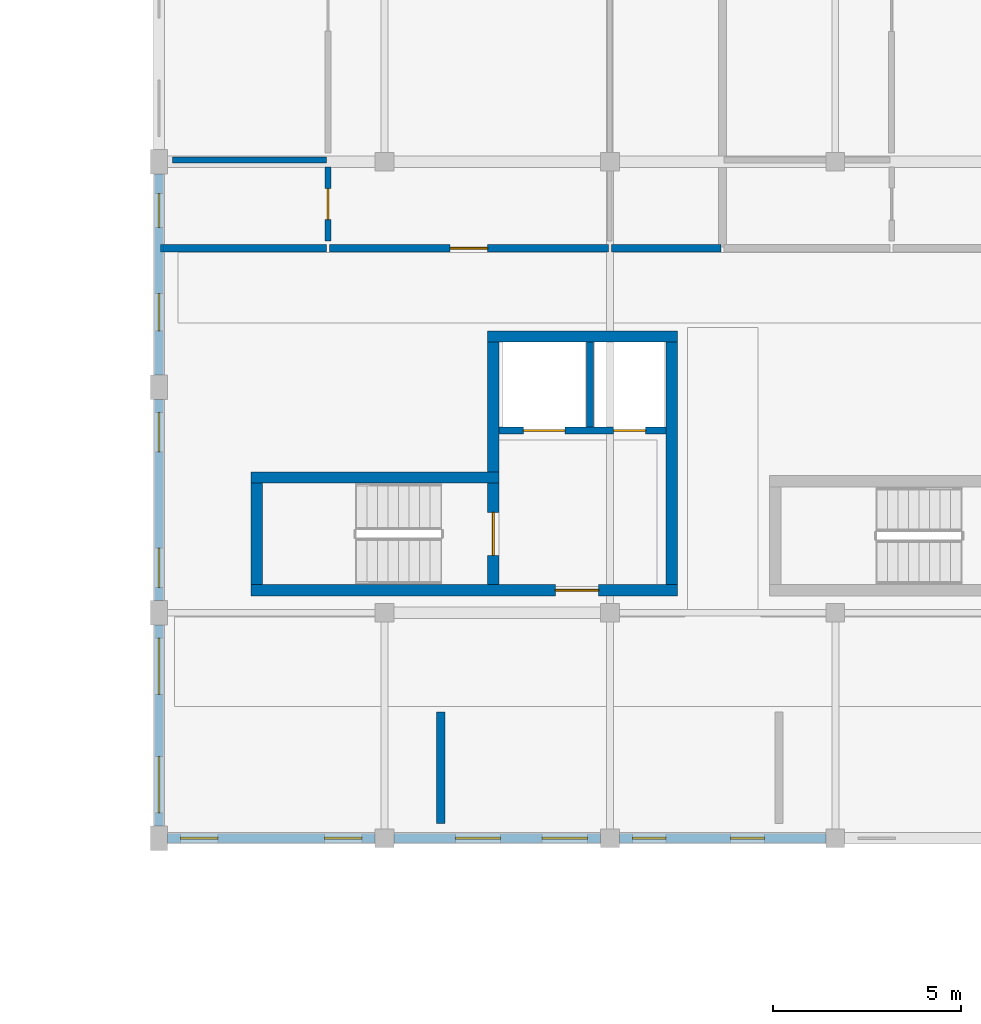
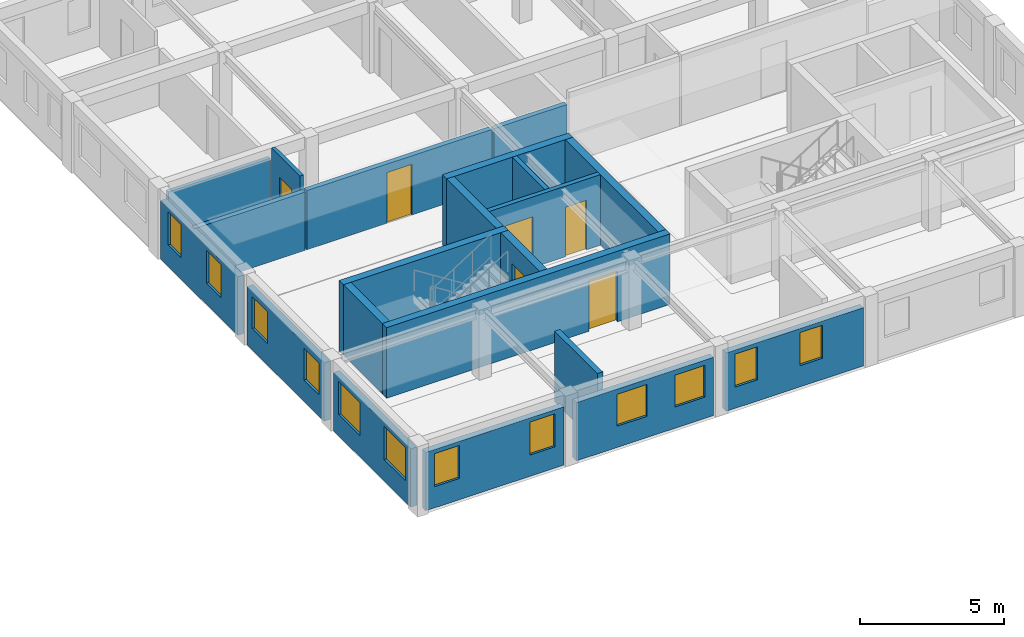
# One storey, part 7 of 13: 21 walls, 12 windows, 6 doors, 18 openings.
"""IFC4 building model written with IfcOpenShell, lengths in metres."""

from ifc_helpers import new_model, si_unit, direction, frame, frame_2d, origin, place, context, subcontext, project, spatial, rectangle, extrude, material, layer, layer_set, type_object, element, fill, save


model = new_model("IFC4")

# Units and contexts
model_context = context("Model", 3, precision=1e-05, world=origin(), true_north=direction((0.0, 1.0)))
body_context = subcontext(model_context, "Body", "Model", "MODEL_VIEW")
ifc_project = project(units=[si_unit("LENGTHUNIT", "METRE"), si_unit("AREAUNIT", "SQUARE_METRE"), si_unit("VOLUMEUNIT", "CUBIC_METRE"), si_unit("PLANEANGLEUNIT", "RADIAN"), si_unit("MASSUNIT", "GRAM", prefix="KILO"), si_unit("POWERUNIT", "WATT"), si_unit("THERMODYNAMICTEMPERATUREUNIT", "KELVIN")], contexts=[model_context])

# Site, building, storey
site_placement = place(None, origin())
site = spatial("IfcSite", under=ifc_project, at=site_placement, CompositionType="ELEMENT")
building_placement = place(site_placement, origin())
building = spatial("IfcBuilding", under=site, at=building_placement, Name="Ruvembo Vaulted Housing Court", CompositionType="ELEMENT")
storey_placement = place(building_placement, frame((0.0, 0.0, 33.300048828125)))
storey = spatial("IfcBuildingStorey", under=building, at=storey_placement, Name="L10", CompositionType="ELEMENT", Elevation=33.300048828125)

# Wall, opening, door
ifc_material_1 = material(Name="Concrete C35/45", Category="concrete")
ifc_layer_1 = layer(ifc_material_1, 0.300048828125, Name="Concrete C35/45")
ifc_layer_set_1 = layer_set([ifc_layer_1], Name="Concrete C35/45")
wall_type_1 = type_object("IfcWallType", Name="WL-CORE-300", PredefinedType="SHEAR", material=ifc_layer_set_1)
wall_1_placement = place(storey_placement, frame((50.449951171875, 90.60009765625, 0.0), z_axis=(0.0, 0.0, 1.0), x_axis=(1.0, 0.0, 0.0)))
wall_1 = element("IfcWall", 1, at=wall_1_placement, inside=storey, type_object=wall_type_1, Name="Core B1 L10 South Shear Wall", PredefinedType="SHEAR", context=body_context, shape_type="SweptSolid", body=[
    extrude(rectangle(XDim=11.35009765625, YDim=0.300048828125, at=frame_2d((5.675048828125, 0.0))), origin(), (0.0, 0.0, 1.0), 2.989990234375),
])
opening_1_placement = place(wall_1_placement, frame((8.10009765625, 0.0, 0.0)))
opening_1 = element("IfcOpeningElement", 2, at=opening_1_placement, cuts=wall_1, Name="Opening LD0", PredefinedType="OPENING", context=body_context, shape_type="SweptSolid", body=[
    extrude(rectangle(XDim=1.14990234375, YDim=2.14990234375, at=frame_2d((0.574951171875, 1.074951171875))), frame((0.0, 0.159912109375, 0.0), z_axis=(0.0, -1.0, 0.0), x_axis=(1.0, 0.0, 0.0)), (0.0, 0.0, 1.0), 0.320068359375),
])
ifc_material_2 = material(Name="Galvanised Painted Steel", Category="steel")
door_type_1 = type_object("IfcDoorType", Name="DR-LOB-1150x2150", OperationType="NOTDEFINED", PredefinedType="DOOR", material=ifc_material_2)
door_1_placement = place(opening_1_placement, origin())
door_1 = element("IfcDoor", 3, at=door_1_placement, inside=storey, type_object=door_type_1, Name="Core B1 L10 Lobby Fire Door", OperationType="SINGLE_SWING_RIGHT", OverallHeight=2.14990234375, OverallWidth=1.14990234375, PredefinedType="DOOR", context=body_context, shape_type="SweptSolid", body=[
    extrude(rectangle(XDim=1.14990234375, YDim=2.14990234375, at=frame_2d((0.574951171875, 1.074951171875))), frame((0.0, 0.02490234375, 0.0), z_axis=(0.0, -1.0, 0.0), x_axis=(1.0, 0.0, 0.0)), (0.0, 0.0, 1.0), 0.050048828125),
])
fill(opening_1, door_1)

# Walls
wall_2_placement = place(storey_placement, frame((57.050048828125, 93.60009765625, 0.0), z_axis=(0.0, 0.0, 1.0), x_axis=(-1.0, 0.0, 0.0)))
element("IfcWall", 4, at=wall_2_placement, inside=storey, type_object=wall_type_1, Name="Core B1 L10 Stair North Shear Wall", PredefinedType="SHEAR", context=body_context, shape_type="SweptSolid", body=[
    extrude(rectangle(XDim=6.60009765625, YDim=0.300048828125, at=frame_2d((3.300048828125, 0.0))), origin(), (0.0, 0.0, 1.0), 2.989990234375),
])
wall_3_placement = place(storey_placement, frame((50.60009765625, 93.449951171875, 0.0), z_axis=(0.0, 0.0, 1.0), x_axis=(0.0, -1.0, 0.0)))
element("IfcWall", 5, at=wall_3_placement, inside=storey, type_object=wall_type_1, Name="Core B1 L10 Stair West Shear Wall", PredefinedType="SHEAR", context=body_context, shape_type="SweptSolid", body=[
    extrude(rectangle(XDim=2.699951171875, YDim=0.300048828125, at=frame_2d((1.35009765625, 0.0))), origin(), (0.0, 0.0, 1.0), 2.989990234375),
])

# Wall, opening, door
wall_4_placement = place(storey_placement, frame((56.89990234375, 90.75, 0.0), z_axis=(0.0, 0.0, 1.0), x_axis=(0.0, 1.0, 0.0)))
wall_4 = element("IfcWall", 6, at=wall_4_placement, inside=storey, type_object=wall_type_1, Name="Core B1 L10 Stair-Lobby Shear Wall", PredefinedType="SHEAR", context=body_context, shape_type="SweptSolid", body=[
    extrude(rectangle(XDim=2.699951171875, YDim=0.300048828125, at=frame_2d((1.35009765625, 0.0))), origin(), (0.0, 0.0, 1.0), 2.989990234375),
])
opening_2_placement = place(wall_4_placement, frame((0.77490234375, 0.0, 0.0)))
opening_2 = element("IfcOpeningElement", 7, at=opening_2_placement, cuts=wall_4, Name="Opening SD1", PredefinedType="OPENING", context=body_context, shape_type="SweptSolid", body=[
    extrude(rectangle(XDim=1.14990234375, YDim=2.14990234375, at=frame_2d((0.574951171875, 1.074951171875))), frame((0.0, 0.159912109375, 0.0), z_axis=(0.0, -1.0, 0.0), x_axis=(1.0, 0.0, 0.0)), (0.0, 0.0, 1.0), 0.320068359375),
])
door_type_2 = type_object("IfcDoorType", Name="DR-STAIR-1150x2150", OperationType="NOTDEFINED", PredefinedType="DOOR", material=ifc_material_2)
door_2_placement = place(opening_2_placement, origin())
door_2 = element("IfcDoor", 8, at=door_2_placement, inside=storey, type_object=door_type_2, Name="Stair ST-B1 L10 Fire Door", OperationType="SINGLE_SWING_LEFT", OverallHeight=2.14990234375, OverallWidth=1.14990234375, PredefinedType="DOOR", context=body_context, shape_type="SweptSolid", body=[
    extrude(rectangle(XDim=1.14990234375, YDim=2.14990234375, at=frame_2d((0.574951171875, 1.074951171875))), frame((0.0, 0.02490234375, 0.0), z_axis=(0.0, -1.0, 0.0), x_axis=(1.0, 0.0, 0.0)), (0.0, 0.0, 1.0), 0.050048828125),
])
fill(opening_2, door_2)

# Walls
wall_5_placement = place(storey_placement, frame((61.800048828125, 97.35009765625, 0.0), z_axis=(0.0, 0.0, 1.0), x_axis=(-1.0, 0.0, 0.0)))
element("IfcWall", 9, at=wall_5_placement, inside=storey, type_object=wall_type_1, Name="Core B1 L10 North Shear Wall", PredefinedType="SHEAR", context=body_context, shape_type="SweptSolid", body=[
    extrude(rectangle(XDim=5.050048828125, YDim=0.300048828125, at=frame_2d((2.52490234375, 0.0))), origin(), (0.0, 0.0, 1.0), 2.989990234375),
])
wall_6_placement = place(storey_placement, frame((61.64990234375, 90.75, 0.0), z_axis=(0.0, 0.0, 1.0), x_axis=(0.0, 1.0, 0.0)))
element("IfcWall", 10, at=wall_6_placement, inside=storey, type_object=wall_type_1, Name="Core B1 L10 East Shear Wall", PredefinedType="SHEAR", context=body_context, shape_type="SweptSolid", body=[
    extrude(rectangle(XDim=6.449951171875, YDim=0.300048828125, at=frame_2d((3.22509765625, 0.0))), origin(), (0.0, 0.0, 1.0), 2.989990234375),
])
wall_7_placement = place(storey_placement, frame((56.89990234375, 93.75, 0.0), z_axis=(0.0, 0.0, 1.0), x_axis=(0.0, 1.0, 0.0)))
element("IfcWall", 11, at=wall_7_placement, inside=storey, type_object=wall_type_1, Name="Core B1 L10 Upper West Shear Wall", PredefinedType="SHEAR", context=body_context, shape_type="SweptSolid", body=[
    extrude(rectangle(XDim=3.449951171875, YDim=0.300048828125, at=frame_2d((1.72509765625, 0.0))), origin(), (0.0, 0.0, 1.0), 2.989990234375),
])
ifc_material_3 = material(Name="Concrete Blockwork 190", Category="masonry")
ifc_layer_2 = layer(ifc_material_3, 0.18994140625, Name="Concrete Blockwork 190")
ifc_layer_set_2 = layer_set([ifc_layer_2], Name="Concrete Blockwork 190")
wall_type_2 = type_object("IfcWallType", Name="WL-CORR-190", PredefinedType="SOLIDWALL", material=ifc_layer_set_2)
wall_8_placement = place(storey_placement, frame((48.0400390625, 99.699951171875, 0.0), z_axis=(0.0, 0.0, 1.0), x_axis=(1.0, 0.0, 0.0)))
element("IfcWall", 12, at=wall_8_placement, inside=storey, type_object=wall_type_2, Name="L10 Flat B-L10-N1 Corridor Wall WL-INT-L10-02246", PredefinedType="SOLIDWALL", context=body_context, shape_type="SweptSolid", body=[
    extrude(rectangle(XDim=4.419921875, YDim=0.18994140625, at=frame_2d((2.2099609375, 0.0))), origin(), (0.0, 0.0, 1.0), 2.471923828125),
])

# Wall, opening, door
wall_9_placement = place(storey_placement, frame((52.5400390625, 99.699951171875, 0.0), z_axis=(0.0, 0.0, 1.0), x_axis=(1.0, 0.0, 0.0)))
wall_9 = element("IfcWall", 13, at=wall_9_placement, inside=storey, type_object=wall_type_2, Name="L10 Flat B-L10-N1 Entrance WL-INT-L10-02247", PredefinedType="SOLIDWALL", context=body_context, shape_type="SweptSolid", body=[
    extrude(rectangle(XDim=7.419921875, YDim=0.18994140625, at=frame_2d((3.7099609375, 0.0))), origin(), (0.0, 0.0, 1.0), 2.508056640625),
])
opening_3_placement = place(wall_9_placement, frame((3.2099609375, 0.0, 0.0)))
opening_3 = element("IfcOpeningElement", 14, at=opening_3_placement, cuts=wall_9, Name="Opening FD1", PredefinedType="OPENING", context=body_context, shape_type="SweptSolid", body=[
    extrude(rectangle(XDim=1.0, YDim=2.14990234375, at=frame_2d((0.5, 1.074951171875))), frame((0.0, 0.10498046875, 0.0), z_axis=(0.0, -1.0, 0.0), x_axis=(1.0, 0.0, 0.0)), (0.0, 0.0, 1.0), 0.2099609375),
])
ifc_material_4 = material(Name="FSC Hardwood and Engineered Timber", Category="wood")
door_type_3 = type_object("IfcDoorType", Name="DR-FLAT-1000x2150", OperationType="NOTDEFINED", PredefinedType="DOOR", material=ifc_material_4)
door_3_placement = place(opening_3_placement, origin())
door_3 = element("IfcDoor", 15, at=door_3_placement, inside=storey, type_object=door_type_3, Name="L10 Flat B-L10-N1 Entrance Door DR-INT-L10-01245", OperationType="SINGLE_SWING_LEFT", OverallHeight=2.14990234375, OverallWidth=1.0, PredefinedType="DOOR", context=body_context, shape_type="SweptSolid", body=[
    extrude(rectangle(XDim=1.0, YDim=2.14990234375, at=frame_2d((0.5, 1.074951171875))), frame((0.0, 0.02490234375, 0.0), z_axis=(0.0, -1.0, 0.0), x_axis=(1.0, 0.0, 0.0)), (0.0, 0.0, 1.0), 0.050048828125),
])
fill(opening_3, door_3)

# Walls
wall_10_placement = place(storey_placement, frame((60.0400390625, 99.699951171875, 0.0), z_axis=(0.0, 0.0, 1.0), x_axis=(1.0, 0.0, 0.0)))
element("IfcWall", 16, at=wall_10_placement, inside=storey, type_object=wall_type_2, Name="L10 Flat B-L10-N1 Corridor Wall 2 WL-INT-L10-02253", PredefinedType="SOLIDWALL", context=body_context, shape_type="SweptSolid", body=[
    extrude(rectangle(XDim=2.919921875, YDim=0.18994140625, at=frame_2d((1.4599609375, 0.0))), origin(), (0.0, 0.0, 1.0), 2.508056640625),
])
ifc_material_5 = material(Name="Acoustic Masonry Demising 220", Category="masonry")
ifc_layer_3 = layer(ifc_material_5, 0.219970703125, Name="Acoustic Masonry Demising 220")
ifc_layer_set_3 = layer_set([ifc_layer_3], Name="Acoustic Masonry Demising 220")
wall_type_3 = type_object("IfcWallType", Name="WL-DEM-200", PredefinedType="SOLIDWALL", material=ifc_layer_set_3)
wall_11_placement = place(storey_placement, frame((55.5, 84.389892578125, 0.0), z_axis=(0.0, 0.0, 1.0), x_axis=(0.0, 1.0, 0.0)))
element("IfcWall", 17, at=wall_11_placement, inside=storey, type_object=wall_type_3, Name="L10 Demising B-L10-S1 WL-INT-L10-02243", PredefinedType="SOLIDWALL", context=body_context, shape_type="SweptSolid", body=[
    extrude(rectangle(XDim=2.97021484375, YDim=0.219970703125, at=frame_2d((1.485107421875, 0.0))), origin(), (0.0, 0.0, 1.0), 2.989990234375),
])

# Wall, openings, windows
ifc_material_6 = material(Name="Rendered Masonry 245", Category="masonry")
ifc_layer_4 = layer(ifc_material_6, 0.2451171875, Name="Rendered Masonry 245")
ifc_layer_set_4 = layer_set([ifc_layer_4], Name="Rendered Masonry 245")
wall_type_4 = type_object("IfcWallType", Name="WL-EXT-245", PredefinedType="STANDARD", material=ifc_layer_set_4)
wall_12_placement = place(storey_placement, frame((48.22509765625, 84.0, 0.0), z_axis=(0.0, 0.0, 1.0), x_axis=(1.0, 0.0, 0.0)))
wall_12 = element("IfcWall", 18, at=wall_12_placement, inside=storey, type_object=wall_type_4, Name="Block B L10 Exterior Wall COURTYARD #1", PredefinedType="STANDARD", context=body_context, shape_type="SweptSolid", body=[
    extrude(rectangle(XDim=5.52490234375, YDim=0.2451171875, at=frame_2d((2.762451171875, 0.0))), origin(), (0.0, 0.0, 1.0), 2.471923828125),
])
opening_4_placement = place(wall_12_placement, frame((0.35009765625, 0.0, 0.89990234375)))
opening_4 = element("IfcOpeningElement", 19, at=opening_4_placement, cuts=wall_12, Name="Opening W08", PredefinedType="OPENING", context=body_context, shape_type="SweptSolid", body=[
    extrude(rectangle(XDim=1.0, YDim=1.39990234375, at=frame_2d((0.5, 0.699951171875))), frame((0.0, 0.132568359375, 0.0), z_axis=(0.0, -1.0, 0.0), x_axis=(1.0, 0.0, 0.0)), (0.0, 0.0, 1.0), 0.26513671875),
])
opening_5_placement = place(wall_12_placement, frame((4.175048828125, 0.0, 0.89990234375)))
opening_5 = element("IfcOpeningElement", 20, at=opening_5_placement, cuts=wall_12, Name="Opening W08", PredefinedType="OPENING", context=body_context, shape_type="SweptSolid", body=[
    extrude(rectangle(XDim=1.0, YDim=1.39990234375, at=frame_2d((0.5, 0.699951171875))), frame((0.0, 0.132568359375, 0.0), z_axis=(0.0, -1.0, 0.0), x_axis=(1.0, 0.0, 0.0)), (0.0, 0.0, 1.0), 0.26513671875),
])
ifc_material_7 = material(Name="Double Solar-Control Glazing in Aluminium Frame", Category="aluminium")
window_type_1 = type_object("IfcWindowType", Name="WIN-1000x1400", PartitioningType="SINGLE_PANEL", PredefinedType="WINDOW", material=ifc_material_7)
window_1_placement = place(opening_4_placement, origin())
window_1 = element("IfcWindow", 21, at=window_1_placement, inside=storey, type_object=window_type_1, Name="Block B L10 Window #1028", OverallHeight=1.39990234375, OverallWidth=1.0, PartitioningType="SINGLE_PANEL", PredefinedType="WINDOW", context=body_context, shape_type="SweptSolid", body=[
    extrude(rectangle(XDim=1.0, YDim=1.39990234375, at=frame_2d((0.5, 0.699951171875))), frame((0.0, 0.030029296875, 0.0), z_axis=(0.0, -1.0, 0.0), x_axis=(1.0, 0.0, 0.0)), (0.0, 0.0, 1.0), 0.06005859375),
])
fill(opening_4, window_1)
window_2_placement = place(opening_5_placement, origin())
window_2 = element("IfcWindow", 22, at=window_2_placement, inside=storey, type_object=window_type_1, Name="Block B L10 Window #1029", OverallHeight=1.39990234375, OverallWidth=1.0, PartitioningType="SINGLE_PANEL", PredefinedType="WINDOW", context=body_context, shape_type="SweptSolid", body=[
    extrude(rectangle(XDim=1.0, YDim=1.39990234375, at=frame_2d((0.5, 0.699951171875))), frame((0.0, 0.030029296875, 0.0), z_axis=(0.0, -1.0, 0.0), x_axis=(1.0, 0.0, 0.0)), (0.0, 0.0, 1.0), 0.06005859375),
])
fill(opening_5, window_2)

wall_13_placement = place(storey_placement, frame((54.25, 84.0, 0.0), z_axis=(0.0, 0.0, 1.0), x_axis=(1.0, 0.0, 0.0)))
wall_13 = element("IfcWall", 23, at=wall_13_placement, inside=storey, type_object=wall_type_4, Name="Block B L10 Exterior Wall COURTYARD #2", PredefinedType="STANDARD", context=body_context, shape_type="SweptSolid", body=[
    extrude(rectangle(XDim=5.5, YDim=0.2451171875, at=frame_2d((2.75, 0.0))), origin(), (0.0, 0.0, 1.0), 2.471923828125),
])
opening_6_placement = place(wall_13_placement, frame((1.639892578125, 0.0, 0.89990234375)))
opening_6 = element("IfcOpeningElement", 24, at=opening_6_placement, cuts=wall_13, Name="Opening W12", PredefinedType="OPENING", context=body_context, shape_type="SweptSolid", body=[
    extrude(rectangle(XDim=1.199951171875, YDim=1.35009765625, at=frame_2d((0.60009765625, 0.675048828125))), frame((0.0, 0.132568359375, 0.0), z_axis=(0.0, -1.0, 0.0), x_axis=(1.0, 0.0, 0.0)), (0.0, 0.0, 1.0), 0.26513671875),
])
opening_7_placement = place(wall_13_placement, frame((3.949951171875, 0.0, 0.89990234375)))
opening_7 = element("IfcOpeningElement", 25, at=opening_7_placement, cuts=wall_13, Name="Opening W12", PredefinedType="OPENING", context=body_context, shape_type="SweptSolid", body=[
    extrude(rectangle(XDim=1.199951171875, YDim=1.35009765625, at=frame_2d((0.60009765625, 0.675048828125))), frame((0.0, 0.132568359375, 0.0), z_axis=(0.0, -1.0, 0.0), x_axis=(1.0, 0.0, 0.0)), (0.0, 0.0, 1.0), 0.26513671875),
])
window_type_2 = type_object("IfcWindowType", Name="WIN-1200x1350", PartitioningType="SINGLE_PANEL", PredefinedType="WINDOW", material=ifc_material_7)
window_3_placement = place(opening_6_placement, origin())
window_3 = element("IfcWindow", 26, at=window_3_placement, inside=storey, type_object=window_type_2, Name="Block B L10 Window #1030", OverallHeight=1.35009765625, OverallWidth=1.199951171875, PartitioningType="SINGLE_PANEL", PredefinedType="WINDOW", context=body_context, shape_type="SweptSolid", body=[
    extrude(rectangle(XDim=1.199951171875, YDim=1.35009765625, at=frame_2d((0.60009765625, 0.675048828125))), frame((0.0, 0.030029296875, 0.0), z_axis=(0.0, -1.0, 0.0), x_axis=(1.0, 0.0, 0.0)), (0.0, 0.0, 1.0), 0.06005859375),
])
fill(opening_6, window_3)
window_4_placement = place(opening_7_placement, origin())
window_4 = element("IfcWindow", 27, at=window_4_placement, inside=storey, type_object=window_type_2, Name="Block B L10 Window #1031", OverallHeight=1.35009765625, OverallWidth=1.199951171875, PartitioningType="SINGLE_PANEL", PredefinedType="WINDOW", context=body_context, shape_type="SweptSolid", body=[
    extrude(rectangle(XDim=1.199951171875, YDim=1.35009765625, at=frame_2d((0.60009765625, 0.675048828125))), frame((0.0, 0.030029296875, 0.0), z_axis=(0.0, -1.0, 0.0), x_axis=(1.0, 0.0, 0.0)), (0.0, 0.0, 1.0), 0.06005859375),
])
fill(opening_7, window_4)

wall_14_placement = place(storey_placement, frame((60.25, 84.0, 0.0), z_axis=(0.0, 0.0, 1.0), x_axis=(1.0, 0.0, 0.0)))
wall_14 = element("IfcWall", 28, at=wall_14_placement, inside=storey, type_object=wall_type_4, Name="Block B L10 Exterior Wall COURTYARD #3", PredefinedType="STANDARD", context=body_context, shape_type="SweptSolid", body=[
    extrude(rectangle(XDim=5.5, YDim=0.2451171875, at=frame_2d((2.75, 0.0))), origin(), (0.0, 0.0, 1.0), 2.471923828125),
])
opening_8_placement = place(wall_14_placement, frame((0.35009765625, 0.0, 0.89990234375)))
opening_8 = element("IfcOpeningElement", 29, at=opening_8_placement, cuts=wall_14, Name="Opening W05", PredefinedType="OPENING", context=body_context, shape_type="SweptSolid", body=[
    extrude(rectangle(XDim=0.89990234375, YDim=1.39990234375, at=frame_2d((0.449951171875, 0.699951171875))), frame((0.0, 0.132568359375, 0.0), z_axis=(0.0, -1.0, 0.0), x_axis=(1.0, 0.0, 0.0)), (0.0, 0.0, 1.0), 0.26513671875),
])
opening_9_placement = place(wall_14_placement, frame((2.9599609375, 0.0, 0.89990234375)))
opening_9 = element("IfcOpeningElement", 30, at=opening_9_placement, cuts=wall_14, Name="Opening W05", PredefinedType="OPENING", context=body_context, shape_type="SweptSolid", body=[
    extrude(rectangle(XDim=0.89990234375, YDim=1.39990234375, at=frame_2d((0.449951171875, 0.699951171875))), frame((0.0, 0.132568359375, 0.0), z_axis=(0.0, -1.0, 0.0), x_axis=(1.0, 0.0, 0.0)), (0.0, 0.0, 1.0), 0.26513671875),
])
window_type_3 = type_object("IfcWindowType", Name="WIN-0900x1400", PartitioningType="SINGLE_PANEL", PredefinedType="WINDOW", material=ifc_material_7)
window_5_placement = place(opening_8_placement, origin())
window_5 = element("IfcWindow", 31, at=window_5_placement, inside=storey, type_object=window_type_3, Name="Block B L10 Window #1032", OverallHeight=1.39990234375, OverallWidth=0.89990234375, PartitioningType="SINGLE_PANEL", PredefinedType="WINDOW", context=body_context, shape_type="SweptSolid", body=[
    extrude(rectangle(XDim=0.89990234375, YDim=1.39990234375, at=frame_2d((0.449951171875, 0.699951171875))), frame((0.0, 0.030029296875, 0.0), z_axis=(0.0, -1.0, 0.0), x_axis=(1.0, 0.0, 0.0)), (0.0, 0.0, 1.0), 0.06005859375),
])
fill(opening_8, window_5)
window_6_placement = place(opening_9_placement, origin())
window_6 = element("IfcWindow", 32, at=window_6_placement, inside=storey, type_object=window_type_3, Name="Block B L10 Window #1033", OverallHeight=1.39990234375, OverallWidth=0.89990234375, PartitioningType="SINGLE_PANEL", PredefinedType="WINDOW", context=body_context, shape_type="SweptSolid", body=[
    extrude(rectangle(XDim=0.89990234375, YDim=1.39990234375, at=frame_2d((0.449951171875, 0.699951171875))), frame((0.0, 0.030029296875, 0.0), z_axis=(0.0, -1.0, 0.0), x_axis=(1.0, 0.0, 0.0)), (0.0, 0.0, 1.0), 0.06005859375),
])
fill(opening_9, window_6)

wall_15_placement = place(storey_placement, frame((48.0, 101.675048828125, 0.0), z_axis=(0.0, 0.0, 1.0), x_axis=(0.0, -1.0, 0.0)))
wall_15 = element("IfcWall", 33, at=wall_15_placement, inside=storey, type_object=wall_type_4, Name="Block B L10 Exterior Wall WEST #3", PredefinedType="STANDARD", context=body_context, shape_type="SweptSolid", body=[
    extrude(rectangle(XDim=5.35009765625, YDim=0.2451171875, at=frame_2d((2.675048828125, 0.0))), origin(), (0.0, 0.0, 1.0), 2.471923828125),
])
opening_10_placement = place(wall_15_placement, frame((0.517578125, 0.0, 0.89990234375)))
opening_10 = element("IfcOpeningElement", 34, at=opening_10_placement, cuts=wall_15, Name="Opening W05", PredefinedType="OPENING", context=body_context, shape_type="SweptSolid", body=[
    extrude(rectangle(XDim=0.89990234375, YDim=1.39990234375, at=frame_2d((0.449951171875, 0.699951171875))), frame((0.0, 0.132568359375, 0.0), z_axis=(0.0, -1.0, 0.0), x_axis=(1.0, 0.0, 0.0)), (0.0, 0.0, 1.0), 0.26513671875),
])
opening_11_placement = place(wall_15_placement, frame((3.1826171875, 0.0, 0.89990234375)))
opening_11 = element("IfcOpeningElement", 35, at=opening_11_placement, cuts=wall_15, Name="Opening W08", PredefinedType="OPENING", context=body_context, shape_type="SweptSolid", body=[
    extrude(rectangle(XDim=1.0, YDim=1.39990234375, at=frame_2d((0.5, 0.699951171875))), frame((0.0, 0.132568359375, 0.0), z_axis=(0.0, -1.0, 0.0), x_axis=(1.0, 0.0, 0.0)), (0.0, 0.0, 1.0), 0.26513671875),
])
window_7_placement = place(opening_10_placement, origin())
window_7 = element("IfcWindow", 36, at=window_7_placement, inside=storey, type_object=window_type_3, Name="Block B L10 Window #1063", OverallHeight=1.39990234375, OverallWidth=0.89990234375, PartitioningType="SINGLE_PANEL", PredefinedType="WINDOW", context=body_context, shape_type="SweptSolid", body=[
    extrude(rectangle(XDim=0.89990234375, YDim=1.39990234375, at=frame_2d((0.449951171875, 0.699951171875))), frame((0.0, 0.030029296875, 0.0), z_axis=(0.0, -1.0, 0.0), x_axis=(1.0, 0.0, 0.0)), (0.0, 0.0, 1.0), 0.06005859375),
])
fill(opening_10, window_7)
window_8_placement = place(opening_11_placement, origin())
window_8 = element("IfcWindow", 37, at=window_8_placement, inside=storey, type_object=window_type_1, Name="Block B L10 Window #1064", OverallHeight=1.39990234375, OverallWidth=1.0, PartitioningType="SINGLE_PANEL", PredefinedType="WINDOW", context=body_context, shape_type="SweptSolid", body=[
    extrude(rectangle(XDim=1.0, YDim=1.39990234375, at=frame_2d((0.5, 0.699951171875))), frame((0.0, 0.030029296875, 0.0), z_axis=(0.0, -1.0, 0.0), x_axis=(1.0, 0.0, 0.0)), (0.0, 0.0, 1.0), 0.06005859375),
])
fill(opening_11, window_8)

wall_16_placement = place(storey_placement, frame((48.0, 95.675048828125, 0.0), z_axis=(0.0, 0.0, 1.0), x_axis=(0.0, -1.0, 0.0)))
wall_16 = element("IfcWall", 38, at=wall_16_placement, inside=storey, type_object=wall_type_4, Name="Block B L10 Exterior Wall WEST #4", PredefinedType="STANDARD", context=body_context, shape_type="SweptSolid", body=[
    extrude(rectangle(XDim=5.35009765625, YDim=0.2451171875, at=frame_2d((2.675048828125, 0.0))), origin(), (0.0, 0.0, 1.0), 2.471923828125),
])
opening_12_placement = place(wall_16_placement, frame((0.35009765625, 0.0, 0.89990234375)))
opening_12 = element("IfcOpeningElement", 39, at=opening_12_placement, cuts=wall_16, Name="Opening W09", PredefinedType="OPENING", context=body_context, shape_type="SweptSolid", body=[
    extrude(rectangle(XDim=1.050048828125, YDim=1.35009765625, at=frame_2d((0.52490234375, 0.675048828125))), frame((0.0, 0.132568359375, 0.0), z_axis=(0.0, -1.0, 0.0), x_axis=(1.0, 0.0, 0.0)), (0.0, 0.0, 1.0), 0.26513671875),
])
opening_13_placement = place(wall_16_placement, frame((3.949951171875, 0.0, 0.89990234375)))
opening_13 = element("IfcOpeningElement", 40, at=opening_13_placement, cuts=wall_16, Name="Opening W09", PredefinedType="OPENING", context=body_context, shape_type="SweptSolid", body=[
    extrude(rectangle(XDim=1.050048828125, YDim=1.35009765625, at=frame_2d((0.52490234375, 0.675048828125))), frame((0.0, 0.132568359375, 0.0), z_axis=(0.0, -1.0, 0.0), x_axis=(1.0, 0.0, 0.0)), (0.0, 0.0, 1.0), 0.26513671875),
])
window_type_4 = type_object("IfcWindowType", Name="WIN-1050x1350", PartitioningType="SINGLE_PANEL", PredefinedType="WINDOW", material=ifc_material_7)
window_9_placement = place(opening_12_placement, origin())
window_9 = element("IfcWindow", 41, at=window_9_placement, inside=storey, type_object=window_type_4, Name="Block B L10 Window #1065", OverallHeight=1.35009765625, OverallWidth=1.050048828125, PartitioningType="SINGLE_PANEL", PredefinedType="WINDOW", context=body_context, shape_type="SweptSolid", body=[
    extrude(rectangle(XDim=1.050048828125, YDim=1.35009765625, at=frame_2d((0.52490234375, 0.675048828125))), frame((0.0, 0.030029296875, 0.0), z_axis=(0.0, -1.0, 0.0), x_axis=(1.0, 0.0, 0.0)), (0.0, 0.0, 1.0), 0.06005859375),
])
fill(opening_12, window_9)
window_10_placement = place(opening_13_placement, origin())
window_10 = element("IfcWindow", 42, at=window_10_placement, inside=storey, type_object=window_type_4, Name="Block B L10 Window #1066", OverallHeight=1.35009765625, OverallWidth=1.050048828125, PartitioningType="SINGLE_PANEL", PredefinedType="WINDOW", context=body_context, shape_type="SweptSolid", body=[
    extrude(rectangle(XDim=1.050048828125, YDim=1.35009765625, at=frame_2d((0.52490234375, 0.675048828125))), frame((0.0, 0.030029296875, 0.0), z_axis=(0.0, -1.0, 0.0), x_axis=(1.0, 0.0, 0.0)), (0.0, 0.0, 1.0), 0.06005859375),
])
fill(opening_13, window_10)

wall_17_placement = place(storey_placement, frame((48.0, 89.675048828125, 0.0), z_axis=(0.0, 0.0, 1.0), x_axis=(0.0, -1.0, 0.0)))
wall_17 = element("IfcWall", 43, at=wall_17_placement, inside=storey, type_object=wall_type_4, Name="Block B L10 Exterior Wall WEST #5", PredefinedType="STANDARD", context=body_context, shape_type="SweptSolid", body=[
    extrude(rectangle(XDim=5.35009765625, YDim=0.2451171875, at=frame_2d((2.675048828125, 0.0))), origin(), (0.0, 0.0, 1.0), 2.471923828125),
])
opening_14_placement = place(wall_17_placement, frame((0.35009765625, 0.0, 0.89990234375)))
opening_14 = element("IfcOpeningElement", 44, at=opening_14_placement, cuts=wall_17, Name="Opening W18", PredefinedType="OPENING", context=body_context, shape_type="SweptSolid", body=[
    extrude(rectangle(XDim=1.5, YDim=1.39990234375, at=frame_2d((0.75, 0.699951171875))), frame((0.0, 0.132568359375, 0.0), z_axis=(0.0, -1.0, 0.0), x_axis=(1.0, 0.0, 0.0)), (0.0, 0.0, 1.0), 0.26513671875),
])
opening_15_placement = place(wall_17_placement, frame((3.5, 0.0, 0.89990234375)))
opening_15 = element("IfcOpeningElement", 45, at=opening_15_placement, cuts=wall_17, Name="Opening W18", PredefinedType="OPENING", context=body_context, shape_type="SweptSolid", body=[
    extrude(rectangle(XDim=1.5, YDim=1.39990234375, at=frame_2d((0.75, 0.699951171875))), frame((0.0, 0.132568359375, 0.0), z_axis=(0.0, -1.0, 0.0), x_axis=(1.0, 0.0, 0.0)), (0.0, 0.0, 1.0), 0.26513671875),
])
window_type_5 = type_object("IfcWindowType", Name="WIN-1500x1400", PartitioningType="SINGLE_PANEL", PredefinedType="WINDOW", material=ifc_material_7)
window_11_placement = place(opening_14_placement, origin())
window_11 = element("IfcWindow", 46, at=window_11_placement, inside=storey, type_object=window_type_5, Name="Block B L10 Window #1067", OverallHeight=1.39990234375, OverallWidth=1.5, PartitioningType="SINGLE_PANEL", PredefinedType="WINDOW", context=body_context, shape_type="SweptSolid", body=[
    extrude(rectangle(XDim=1.5, YDim=1.39990234375, at=frame_2d((0.75, 0.699951171875))), frame((0.0, 0.030029296875, 0.0), z_axis=(0.0, -1.0, 0.0), x_axis=(1.0, 0.0, 0.0)), (0.0, 0.0, 1.0), 0.06005859375),
])
fill(opening_14, window_11)
window_12_placement = place(opening_15_placement, origin())
window_12 = element("IfcWindow", 47, at=window_12_placement, inside=storey, type_object=window_type_5, Name="Block B L10 Window #1068", OverallHeight=1.39990234375, OverallWidth=1.5, PartitioningType="SINGLE_PANEL", PredefinedType="WINDOW", context=body_context, shape_type="SweptSolid", body=[
    extrude(rectangle(XDim=1.5, YDim=1.39990234375, at=frame_2d((0.75, 0.699951171875))), frame((0.0, 0.030029296875, 0.0), z_axis=(0.0, -1.0, 0.0), x_axis=(1.0, 0.0, 0.0)), (0.0, 0.0, 1.0), 0.06005859375),
])
fill(opening_15, window_12)

# Wall, opening, door
ifc_material_8 = material(Name="Moisture-Resistant Wet Partition 150", Category="gypsum")
ifc_layer_5 = layer(ifc_material_8, 0.14990234375, Name="Moisture-Resistant Wet Partition 150")
ifc_layer_set_5 = layer_set([ifc_layer_5], Name="Moisture-Resistant Wet Partition 150")
wall_type_5 = type_object("IfcWallType", Name="WL-PART-150", PredefinedType="PARTITIONING", material=ifc_layer_set_5)
wall_18_placement = place(storey_placement, frame((52.5, 99.889892578125, 0.0), z_axis=(0.0, 0.0, 1.0), x_axis=(0.0, 1.0, 0.0)))
wall_18 = element("IfcWall", 48, at=wall_18_placement, inside=storey, type_object=wall_type_5, Name="L10 Flat B-L10-N1 Bathroom WL-INT-L10-02250", PredefinedType="PARTITIONING", context=body_context, shape_type="SweptSolid", body=[
    extrude(rectangle(XDim=1.97021484375, YDim=0.14990234375, at=frame_2d((0.985107421875, 0.0))), origin(), (0.0, 0.0, 1.0), 2.989990234375),
])
opening_16_placement = place(wall_18_placement, frame((0.574951171875, 0.0, 0.0)))
opening_16 = element("IfcOpeningElement", 49, at=opening_16_placement, cuts=wall_18, Name="Opening ID4", PredefinedType="OPENING", context=body_context, shape_type="SweptSolid", body=[
    extrude(rectangle(XDim=0.820068359375, YDim=2.080078125, at=frame_2d((0.41015625, 1.0400390625))), frame((0.0, 0.0849609375, 0.0), z_axis=(0.0, -1.0, 0.0), x_axis=(1.0, 0.0, 0.0)), (0.0, 0.0, 1.0), 0.169921875),
])
door_type_4 = type_object("IfcDoorType", Name="DR-WET-0820x2080", OperationType="NOTDEFINED", PredefinedType="DOOR", material=ifc_material_4)
door_4_placement = place(opening_16_placement, origin())
door_4 = element("IfcDoor", 50, at=door_4_placement, inside=storey, type_object=door_type_4, Name="L10 Flat B-L10-N1 Bathroom Door DR-INT-L10-01248", OperationType="SINGLE_SWING_RIGHT", OverallHeight=2.080078125, OverallWidth=0.820068359375, PredefinedType="DOOR", context=body_context, shape_type="SweptSolid", body=[
    extrude(rectangle(XDim=0.820068359375, YDim=2.080078125, at=frame_2d((0.41015625, 1.0400390625))), frame((0.0, 0.02490234375, 0.0), z_axis=(0.0, -1.0, 0.0), x_axis=(1.0, 0.0, 0.0)), (0.0, 0.0, 1.0), 0.050048828125),
])
fill(opening_16, door_4)

# Wall
wall_19_placement = place(storey_placement, frame((48.360107421875, 102.050048828125, 0.0), z_axis=(0.0, 0.0, 1.0), x_axis=(1.0, 0.0, 0.0)))
element("IfcWall", 51, at=wall_19_placement, inside=storey, type_object=wall_type_5, Name="L10 Flat B-L10-N1 Wet Wall 2 WL-INT-L10-02252", PredefinedType="PARTITIONING", context=body_context, shape_type="SweptSolid", body=[
    extrude(rectangle(XDim=4.099853515625, YDim=0.14990234375, at=frame_2d((2.0498046875, 0.0))), origin(), (0.0, 0.0, 1.0), 2.471923828125),
])

# Wall, openings, doors
ifc_material_9 = material(Name="Fire-Rated Masonry Shaft 180", Category="masonry")
ifc_layer_6 = layer(ifc_material_9, 0.179931640625, Name="Fire-Rated Masonry Shaft 180")
ifc_layer_set_6 = layer_set([ifc_layer_6], Name="Fire-Rated Masonry Shaft 180")
wall_type_6 = type_object("IfcWallType", Name="WL-SHAFT-180", PredefinedType="SOLIDWALL", material=ifc_layer_set_6)
wall_20_placement = place(storey_placement, frame((57.050048828125, 94.85009765625, 0.0), z_axis=(0.0, 0.0, 1.0), x_axis=(1.0, 0.0, 0.0)))
wall_20 = element("IfcWall", 52, at=wall_20_placement, inside=storey, type_object=wall_type_6, Name="Core B1 L10 Lift and Riser Front Wall", PredefinedType="SOLIDWALL", context=body_context, shape_type="SweptSolid", body=[
    extrude(rectangle(XDim=4.449951171875, YDim=0.179931640625, at=frame_2d((2.22509765625, 0.0))), origin(), (0.0, 0.0, 1.0), 2.989990234375),
])
opening_17_placement = place(wall_20_placement, frame((0.64990234375, 0.0, 0.0)))
opening_17 = element("IfcOpeningElement", 53, at=opening_17_placement, cuts=wall_20, Name="Opening LD-LP-B1-L10", PredefinedType="OPENING", context=body_context, shape_type="SweptSolid", body=[
    extrude(rectangle(XDim=1.10009765625, YDim=2.14990234375, at=frame_2d((0.550048828125, 1.074951171875))), frame((0.0, 0.099853515625, 0.0), z_axis=(0.0, -1.0, 0.0), x_axis=(1.0, 0.0, 0.0)), (0.0, 0.0, 1.0), 0.199951171875),
])
opening_18_placement = place(wall_20_placement, frame((3.050048828125, 0.0, 0.0)))
opening_18 = element("IfcOpeningElement", 54, at=opening_18_placement, cuts=wall_20, Name="Opening RD1", PredefinedType="OPENING", context=body_context, shape_type="SweptSolid", body=[
    extrude(rectangle(XDim=0.85009765625, YDim=2.10009765625, at=frame_2d((0.425048828125, 1.050048828125))), frame((0.0, 0.099853515625, 0.0), z_axis=(0.0, -1.0, 0.0), x_axis=(1.0, 0.0, 0.0)), (0.0, 0.0, 1.0), 0.199951171875),
])
ifc_material_10 = material(Name="Brushed Stainless Steel 304", Category="steel")
door_type_5 = type_object("IfcDoorType", Name="DR-LIFT-1100x2150", OperationType="NOTDEFINED", PredefinedType="DOOR", material=ifc_material_10)
door_5_placement = place(opening_17_placement, origin())
door_5 = element("IfcDoor", 55, at=door_5_placement, inside=storey, type_object=door_type_5, Name="Lift LP-B1 L10 Sliding Landing Door", OperationType="SLIDING_TO_LEFT", OverallHeight=2.14990234375, OverallWidth=1.10009765625, PredefinedType="DOOR", context=body_context, shape_type="SweptSolid", body=[
    extrude(rectangle(XDim=1.10009765625, YDim=2.14990234375, at=frame_2d((0.550048828125, 1.074951171875))), frame((0.0, 0.02490234375, 0.0), z_axis=(0.0, -1.0, 0.0), x_axis=(1.0, 0.0, 0.0)), (0.0, 0.0, 1.0), 0.050048828125),
])
fill(opening_17, door_5)
door_type_6 = type_object("IfcDoorType", Name="DR-RISER-0850x2100", OperationType="NOTDEFINED", PredefinedType="DOOR", material=ifc_material_2)
door_6_placement = place(opening_18_placement, frame((0.85009765625, 0.0, 0.0), z_axis=(0.0, 0.0, 1.0), x_axis=(-1.0, 0.0, 0.0)))
door_6 = element("IfcDoor", 56, at=door_6_placement, inside=storey, type_object=door_type_6, Name="Core B1 L10 Service Riser Door", OperationType="SINGLE_SWING_RIGHT", OverallHeight=2.10009765625, OverallWidth=0.85009765625, PredefinedType="DOOR", context=body_context, shape_type="SweptSolid", body=[
    extrude(rectangle(XDim=0.85009765625, YDim=2.10009765625, at=frame_2d((0.425048828125, 1.050048828125))), frame((0.0, 0.02490234375, 0.0), z_axis=(0.0, -1.0, 0.0), x_axis=(1.0, 0.0, 0.0)), (0.0, 0.0, 1.0), 0.050048828125),
])
fill(opening_18, door_6)

# Wall
wall_21_placement = place(storey_placement, frame((59.469970703125, 94.93994140625, 0.0), z_axis=(0.0, 0.0, 1.0), x_axis=(0.0, 1.0, 0.0)))
element("IfcWall", 57, at=wall_21_placement, inside=storey, type_object=wall_type_6, Name="Core B1 L10 Shaft-Riser Divider Wall", PredefinedType="SOLIDWALL", context=body_context, shape_type="SweptSolid", body=[
    extrude(rectangle(XDim=2.260009765625, YDim=0.179931640625, at=frame_2d((1.1298828125, 0.0))), origin(), (0.0, 0.0, 1.0), 2.989990234375),
])

save(model, "model.ifc")
